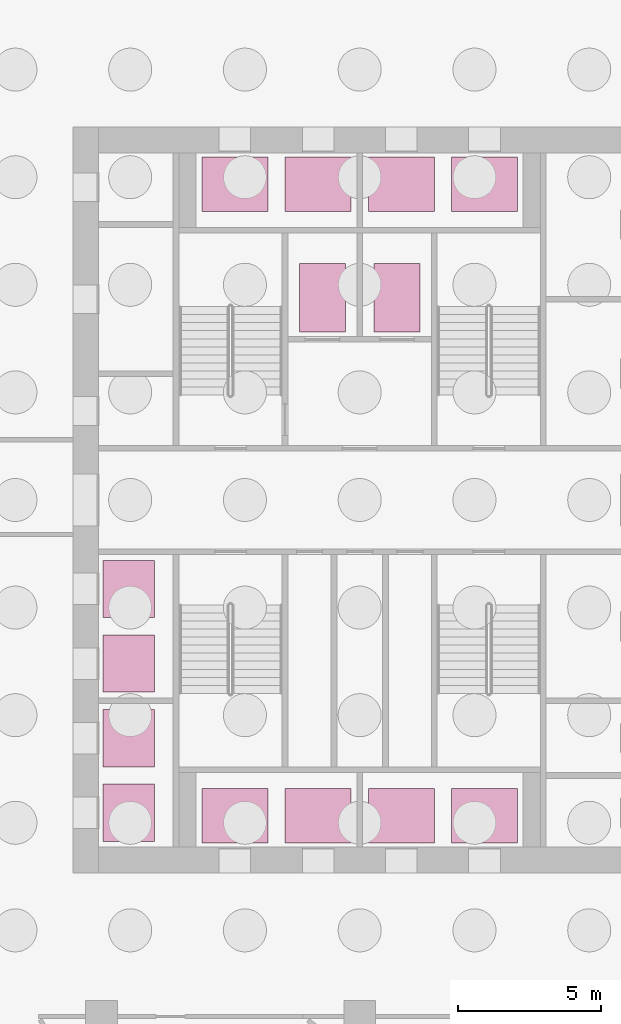
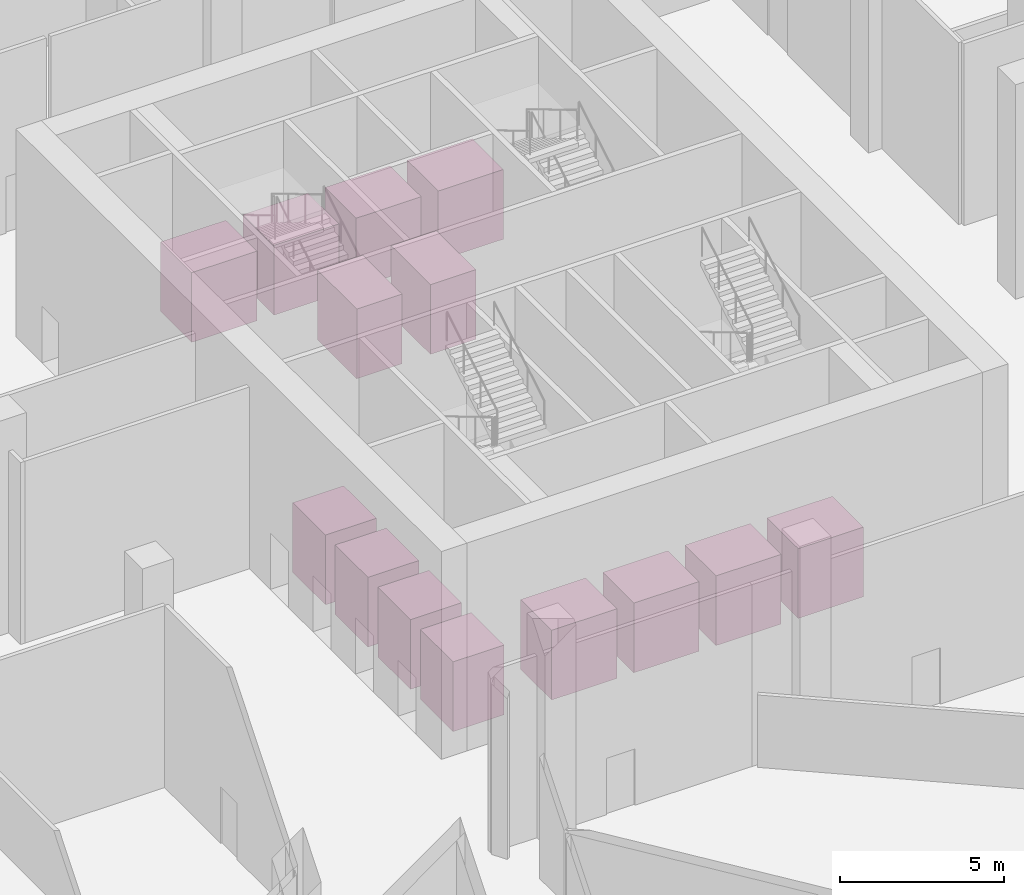
# One storey, part 34 of 34: 14 transport elements.
"""IFC4 building model written with IfcOpenShell, lengths in metres."""

from ifc_helpers import new_model, si_unit, direction, frame, origin, origin_2d, place, context, subcontext, project, spatial, rectangle, extrude, material, type_object, element, save


model = new_model("IFC4")

# Units and contexts
model_context = context("Model", 3, precision=1e-05, world=origin(), true_north=direction((0.0, 1.0)))
body_context = subcontext(model_context, "Body", "Model", "MODEL_VIEW")
ifc_project = project(units=[si_unit("LENGTHUNIT", "METRE"), si_unit("AREAUNIT", "SQUARE_METRE"), si_unit("VOLUMEUNIT", "CUBIC_METRE"), si_unit("PLANEANGLEUNIT", "RADIAN"), si_unit("MASSUNIT", "GRAM", prefix="KILO")], contexts=[model_context])

# Site, building, storey
site_placement = place(None, origin())
site = spatial("IfcSite", under=ifc_project, at=site_placement, CompositionType="ELEMENT")
building_placement = place(site_placement, origin())
building = spatial("IfcBuilding", under=site, at=building_placement, Name="Tarsis Ring Headquarters", CompositionType="ELEMENT")
storey_placement = place(building_placement, origin())
storey = spatial("IfcBuildingStorey", under=building, at=storey_placement, Name="L00", CompositionType="ELEMENT", Elevation=0.0)

# Transport elements
ifc_material = material(Name="Stainless steel", Category="steel")
transport_element_type_1 = type_object("IfcTransportElementType", Name="Lift car 1600x2400", PredefinedType="ELEVATOR", material=ifc_material)
for number, where, z_axis, x_axis, name in (
    (1, (-1.300048828125, 7.050048828125, 0.0), (0.0, 0.0, 1.0), (1.0, 0.0, 0.0), "Firefighting lift 1 car"),
    (2, (1.300048828125, 7.050048828125, 0.0), (0.0, 0.0, 1.0), (1.0, 0.0, 0.0), "Firefighting lift 2 car"),
):
    element("IfcTransportElement", number, at=place(storey_placement, frame(where, z_axis=z_axis, x_axis=x_axis)), inside=storey, type_object=transport_element_type_1, Name=name, PredefinedType="ELEVATOR", context=body_context, shape_type="SweptSolid", body=[
        extrude(rectangle(XDim=1.60009765625, YDim=2.39990234375, at=origin_2d()), origin(), (0.0, 0.0, 1.0), 2.60009765625),
    ])
transport_element_type_2 = type_object("IfcTransportElementType", Name="Lift car 2000x1800", PredefinedType="ELEVATOR", material=ifc_material)
for number, where, z_axis, x_axis, name in (
    (3, (-8.050048828125, -10.89990234375, 0.0), (0.0, 0.0, 1.0), (1.0, 0.0, 0.0), "Low-rise lift 1 car"),
    (4, (-8.050048828125, -8.300048828125, 0.0), (0.0, 0.0, 1.0), (1.0, 0.0, 0.0), "Low-rise lift 2 car"),
    (5, (-8.050048828125, -5.699951171875, 0.0), (0.0, 0.0, 1.0), (1.0, 0.0, 0.0), "Low-rise lift 3 car"),
    (6, (-8.050048828125, -3.10009765625, 0.0), (0.0, 0.0, 1.0), (1.0, 0.0, 0.0), "Low-rise lift 4 car"),
):
    element("IfcTransportElement", number, at=place(storey_placement, frame(where, z_axis=z_axis, x_axis=x_axis)), inside=storey, type_object=transport_element_type_2, Name=name, PredefinedType="ELEVATOR", context=body_context, shape_type="SweptSolid", body=[
        extrude(rectangle(XDim=1.800048828125, YDim=2.0, at=origin_2d()), origin(), (0.0, 0.0, 1.0), 2.60009765625),
    ])
transport_element_type_3 = type_object("IfcTransportElementType", Name="Lift car 2300x1900", PredefinedType="ELEVATOR", material=ifc_material)
for number, where, z_axis, x_axis, name in (
    (7, (-4.35009765625, 11.0, 0.0), (0.0, 0.0, 1.0), (1.0, 0.0, 0.0), "Sky lobby 1 shuttle 1 car"),
    (8, (-1.449951171875, 11.0, 0.0), (0.0, 0.0, 1.0), (1.0, 0.0, 0.0), "Sky lobby 1 shuttle 2 car"),
    (9, (1.449951171875, 11.0, 0.0), (0.0, 0.0, 1.0), (1.0, 0.0, 0.0), "Sky lobby 1 shuttle 3 car"),
    (10, (4.35009765625, 11.0, 0.0), (0.0, 0.0, 1.0), (1.0, 0.0, 0.0), "Sky lobby 1 shuttle 4 car"),
    (11, (-4.35009765625, -11.0, 0.0), (0.0, 0.0, 1.0), (1.0, 0.0, 0.0), "Sky lobby 2 shuttle 1 car"),
    (12, (-1.449951171875, -11.0, 0.0), (0.0, 0.0, 1.0), (1.0, 0.0, 0.0), "Sky lobby 2 shuttle 2 car"),
    (13, (1.449951171875, -11.0, 0.0), (0.0, 0.0, 1.0), (1.0, 0.0, 0.0), "Sky lobby 2 shuttle 3 car"),
    (14, (4.35009765625, -11.0, 0.0), (0.0, 0.0, 1.0), (1.0, 0.0, 0.0), "Sky lobby 2 shuttle 4 car"),
):
    element("IfcTransportElement", number, at=place(storey_placement, frame(where, z_axis=z_axis, x_axis=x_axis)), inside=storey, type_object=transport_element_type_3, Name=name, PredefinedType="ELEVATOR", context=body_context, shape_type="SweptSolid", body=[
        extrude(rectangle(XDim=2.300048828125, YDim=1.89990234375, at=origin_2d()), origin(), (0.0, 0.0, 1.0), 2.60009765625),
    ])

save(model, "model.ifc")
